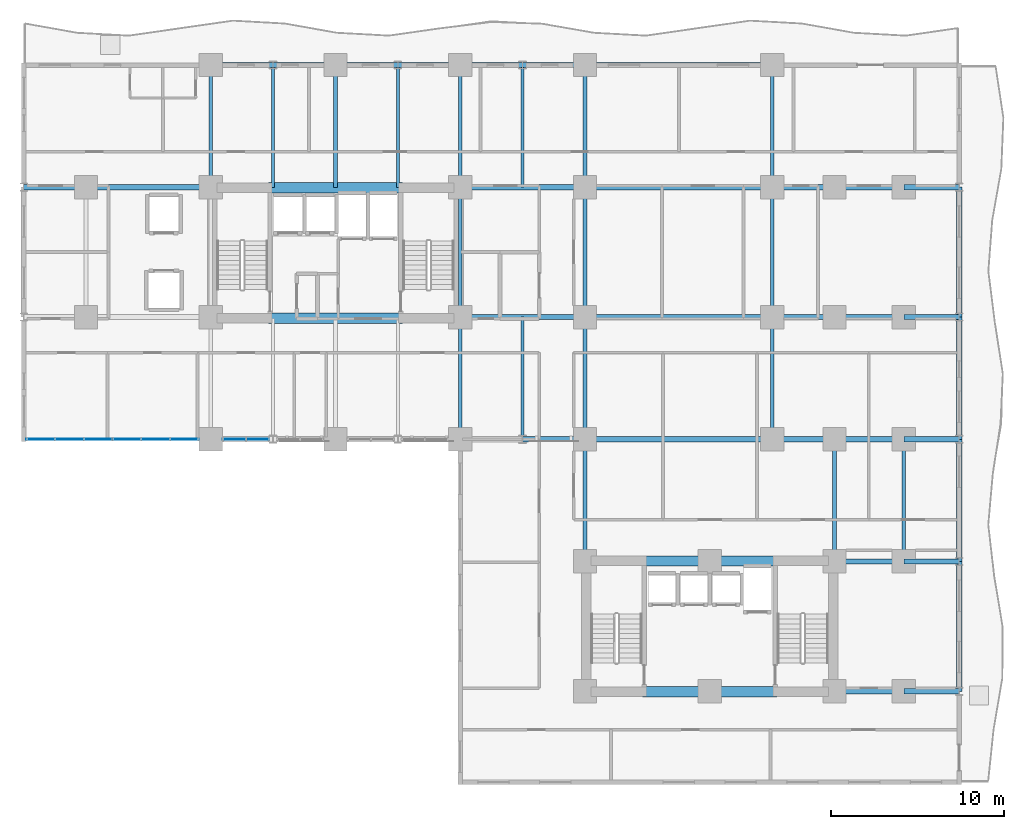
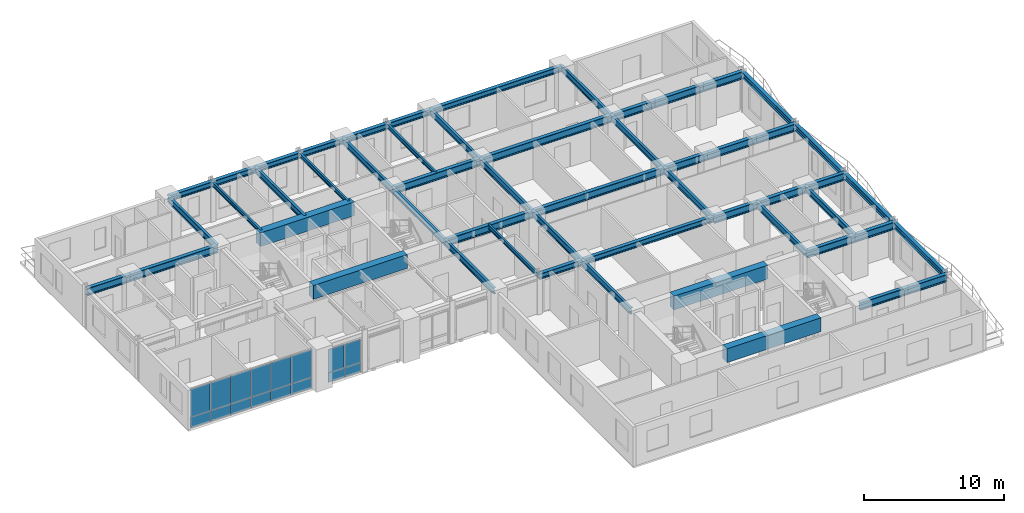
# One storey, part 6 of 17: 54 beams, 16 plates, 2 elements without a shape of their own.
"""IFC4 building model written with IfcOpenShell, lengths in metres."""

from ifc_helpers import new_model, si_unit, direction, frame, origin, origin_2d, place, context, subcontext, project, spatial, rectangle, i_section, extrude, source, transform, mapped, material, layer, layer_set, material_profile, profile_set, type_object, element, aggregate, save


model = new_model("IFC4")

# Units and contexts
model_context = context("Model", 3, precision=1e-05, world=origin(), true_north=direction((0.0, 1.0)))
body_context = subcontext(model_context, "Body", "Model", "MODEL_VIEW")
ifc_project = project(units=[si_unit("LENGTHUNIT", "METRE"), si_unit("AREAUNIT", "SQUARE_METRE"), si_unit("VOLUMEUNIT", "CUBIC_METRE"), si_unit("PLANEANGLEUNIT", "RADIAN"), si_unit("MASSUNIT", "GRAM", prefix="KILO")], contexts=[model_context])

# Site, building, storey
site_placement = place(None, origin())
site = spatial("IfcSite", under=ifc_project, at=site_placement, CompositionType="ELEMENT")
building_placement = place(site_placement, origin())
building = spatial("IfcBuilding", under=site, at=building_placement, Name="Kaliganga Portal Commons", CompositionType="ELEMENT")
storey_placement = place(building_placement, frame((0.0, 0.0, 43.800048828125)))
storey = spatial("IfcBuildingStorey", under=building, at=storey_placement, Name="L10", CompositionType="ELEMENT", Elevation=43.800048828125)

# Beams
ifc_material_1 = material(Name="Concrete C60/75", Category="concrete")
ifc_material_profile_1 = material_profile(ifc_material_1, rectangle(XDim=0.60009765625, YDim=1.199951171875, at=origin_2d()), Name="RC 600x1200")
ifc_profile_set_1 = profile_set([ifc_material_profile_1], Name="Concrete C60/75")
beam_type_1 = type_object("IfcBeamType", Name="BM-CPL-1200", PredefinedType="LINTEL", material=ifc_profile_set_1)
shared_shape_1 = source(origin(), body_context, "Body", "SweptSolid", [
    extrude(rectangle(XDim=0.60009765625, YDim=1.199951171875, at=origin_2d()), origin(), (0.0, 0.0, 1.0), 7.739990234375),
])
for number, where, z_axis, x_axis, name in (
    (1, (17.72998046875, 28.574951171875, 2.849853515625), (1.0, 0.0, 0.0), (0.0, 1.0, 0.0), "BM CPL COREA L10 S"),
    (2, (17.72998046875, 36.125, 2.849853515625), (1.0, 0.0, 0.0), (0.0, 1.0, 0.0), "BM CPL COREA L10 N"),
    (3, (39.330078125, 7.02490234375, 2.849853515625), (1.0, 0.0, 0.0), (0.0, 1.0, 0.0), "BM CPL COREB L10 S"),
    (4, (39.330078125, 14.574951171875, 2.849853515625), (1.0, 0.0, 0.0), (0.0, 1.0, 0.0), "BM CPL COREB L10 N"),
):
    element("IfcBeam", number, at=place(storey_placement, frame(where, z_axis=z_axis, x_axis=x_axis)), inside=storey, type_object=beam_type_1, Name=name, PredefinedType="LINTEL", context=body_context, shape_type="MappedRepresentation", body=[
        mapped(shared_shape_1, transform((0.0, 0.0, 0.0), x_axis=(1.0, 0.0, 0.0), y_axis=(0.0, 1.0, 0.0), z_axis=(0.0, 0.0, 1.0), scale=1.0)),
    ])
ifc_material_2 = material(Name="Structural steel S355J2", Category="steel")
ifc_material_profile_2 = material_profile(ifc_material_2, i_section(OverallWidth=0.300048828125, OverallDepth=0.5, WebThickness=0.014404296875, FlangeThickness=0.028076171875, FilletRadius=0.027099609375, at=origin_2d()), Name="HE 500 B")
ifc_profile_set_2 = profile_set([ifc_material_profile_2], Name="Structural steel S355J2 wide-flange")
beam_type_2 = type_object("IfcBeamType", Name="BM-SPAND-500", PredefinedType="SPANDREL", material=ifc_profile_set_2)
shared_shape_2 = source(origin(), body_context, "Body", "SweptSolid", [
    extrude(i_section(OverallWidth=0.300048828125, OverallDepth=0.5, WebThickness=0.014404296875, FlangeThickness=0.028076171875, FilletRadius=0.027099609375, at=origin_2d()), origin(), (0.0, 0.0, 1.0), 10.800048828125),
])
for number, where, z_axis, x_axis, name in (
    (5, (36.0, 43.199951171875, 3.199951171875), (1.0, 0.0, 0.0), (0.0, 1.0, 0.0), "BM SP L10 AN 7"),
    (6, (36.0, 21.60009765625, 3.199951171875), (1.0, 0.0, 0.0), (0.0, 1.0, 0.0), "BM SP L10 AS 7"),
):
    element("IfcBeam", number, at=place(storey_placement, frame(where, z_axis=z_axis, x_axis=x_axis)), inside=storey, type_object=beam_type_2, Name=name, PredefinedType="SPANDREL", context=body_context, shape_type="MappedRepresentation", body=[
        mapped(shared_shape_2, transform((0.0, 0.0, 0.0), x_axis=(1.0, 0.0, 0.0), y_axis=(0.0, 1.0, 0.0), z_axis=(0.0, 0.0, 1.0), scale=1.0)),
    ])
shared_shape_3 = source(origin(), body_context, "Body", "SweptSolid", [
    extrude(i_section(OverallWidth=0.300048828125, OverallDepth=0.5, WebThickness=0.014404296875, FlangeThickness=0.028076171875, FilletRadius=0.027099609375, at=origin_2d()), origin(), (0.0, 0.0, 1.0), 7.5),
])
for number, where, z_axis, x_axis, name in (
    (7, (57.60009765625, 7.050048828125, 3.199951171875), (0.0, 1.0, 0.0), (-1.0, 0.0, 0.0), "BM SP L10 BE 1"),
    (8, (57.60009765625, 28.64990234375, 3.199951171875), (0.0, 1.0, 0.0), (-1.0, 0.0, 0.0), "BM SP L10 BE 4"),
):
    element("IfcBeam", number, at=place(storey_placement, frame(where, z_axis=z_axis, x_axis=x_axis)), inside=storey, type_object=beam_type_2, Name=name, PredefinedType="SPANDREL", context=body_context, shape_type="MappedRepresentation", body=[
        mapped(shared_shape_3, transform((0.0, 0.0, 0.0), x_axis=(1.0, 0.0, 0.0), y_axis=(0.0, 1.0, 0.0), z_axis=(0.0, 0.0, 1.0), scale=1.0)),
    ])
shared_shape_4 = source(origin(), body_context, "Body", "SweptSolid", [
    extrude(i_section(OverallWidth=0.300048828125, OverallDepth=0.5, WebThickness=0.014404296875, FlangeThickness=0.028076171875, FilletRadius=0.027099609375, at=origin_2d()), origin(), (0.0, 0.0, 1.0), 7.050048828125),
])
beam_1_placement = place(storey_placement, frame((57.60009765625, 14.550048828125, 3.199951171875), z_axis=(0.0, 1.0, 0.0), x_axis=(-1.0, 0.0, 0.0)))
element("IfcBeam", 9, at=beam_1_placement, inside=storey, type_object=beam_type_2, Name="BM SP L10 BE 2", PredefinedType="SPANDREL", context=body_context, shape_type="MappedRepresentation", body=[
    mapped(shared_shape_4, transform((0.0, 0.0, 0.0), x_axis=(1.0, 0.0, 0.0), y_axis=(0.0, 1.0, 0.0), z_axis=(0.0, 0.0, 1.0), scale=1.0)),
])
shared_shape_5 = source(origin(), body_context, "Body", "SweptSolid", [
    extrude(i_section(OverallWidth=0.300048828125, OverallDepth=0.5, WebThickness=0.014404296875, FlangeThickness=0.028076171875, FilletRadius=0.027099609375, at=origin_2d()), origin(), (0.0, 0.0, 1.0), 7.0498046875),
])
beam_2_placement = place(storey_placement, frame((57.60009765625, 21.60009765625, 3.199951171875), z_axis=(0.0, 1.0, 0.0), x_axis=(-1.0, 0.0, 0.0)))
element("IfcBeam", 10, at=beam_2_placement, inside=storey, type_object=beam_type_2, Name="BM SP L10 BE 3", PredefinedType="SPANDREL", context=body_context, shape_type="MappedRepresentation", body=[
    mapped(shared_shape_5, transform((0.0, 0.0, 0.0), x_axis=(1.0, 0.0, 0.0), y_axis=(0.0, 1.0, 0.0), z_axis=(0.0, 0.0, 1.0), scale=1.0)),
])
shared_shape_6 = source(origin(), body_context, "Body", "SweptSolid", [
    extrude(i_section(OverallWidth=0.300048828125, OverallDepth=0.5, WebThickness=0.014404296875, FlangeThickness=0.028076171875, FilletRadius=0.027099609375, at=origin_2d()), origin(), (0.0, 0.0, 1.0), 3.60009765625),
])
for number, where, z_axis, x_axis, name in (
    (11, (14.39990234375, 43.199951171875, 3.199951171875), (1.0, 0.0, 0.0), (0.0, 1.0, 0.0), "BM SP L10 AN 1"),
    (12, (18.0, 43.199951171875, 3.199951171875), (1.0, 0.0, 0.0), (0.0, 1.0, 0.0), "BM SP L10 AN 2"),
    (13, (25.199951171875, 43.199951171875, 3.199951171875), (1.0, 0.0, 0.0), (0.0, 1.0, 0.0), "BM SP L10 AN 4"),
    (14, (32.39990234375, 43.199951171875, 3.199951171875), (1.0, 0.0, 0.0), (0.0, 1.0, 0.0), "BM SP L10 AN 6"),
    (15, (32.39990234375, 21.60009765625, 3.199951171875), (1.0, 0.0, 0.0), (0.0, 1.0, 0.0), "BM SP L10 AS 6"),
):
    element("IfcBeam", number, at=place(storey_placement, frame(where, z_axis=z_axis, x_axis=x_axis)), inside=storey, type_object=beam_type_2, Name=name, PredefinedType="SPANDREL", context=body_context, shape_type="MappedRepresentation", body=[
        mapped(shared_shape_6, transform((0.0, 0.0, 0.0), x_axis=(1.0, 0.0, 0.0), y_axis=(0.0, 1.0, 0.0), z_axis=(0.0, 0.0, 1.0), scale=1.0)),
    ])
shared_shape_7 = source(origin(), body_context, "Body", "SweptSolid", [
    extrude(i_section(OverallWidth=0.300048828125, OverallDepth=0.5, WebThickness=0.014404296875, FlangeThickness=0.028076171875, FilletRadius=0.027099609375, at=origin_2d()), origin(), (0.0, 0.0, 1.0), 3.599853515625),
])
for number, where, z_axis, x_axis, name in (
    (16, (21.60009765625, 43.199951171875, 3.199951171875), (1.0, 0.0, 0.0), (0.0, 1.0, 0.0), "BM SP L10 AN 3"),
    (17, (28.800048828125, 43.199951171875, 3.199951171875), (1.0, 0.0, 0.0), (0.0, 1.0, 0.0), "BM SP L10 AN 5"),
):
    element("IfcBeam", number, at=place(storey_placement, frame(where, z_axis=z_axis, x_axis=x_axis)), inside=storey, type_object=beam_type_2, Name=name, PredefinedType="SPANDREL", context=body_context, shape_type="MappedRepresentation", body=[
        mapped(shared_shape_7, transform((0.0, 0.0, 0.0), x_axis=(1.0, 0.0, 0.0), y_axis=(0.0, 1.0, 0.0), z_axis=(0.0, 0.0, 1.0), scale=1.0)),
    ])
ifc_material_profile_3 = material_profile(ifc_material_2, i_section(OverallWidth=0.300048828125, OverallDepth=0.64990234375, WebThickness=0.01611328125, FlangeThickness=0.031005859375, FilletRadius=0.027099609375, at=origin_2d()), Name="HE 650 B")
ifc_profile_set_3 = profile_set([ifc_material_profile_3], Name="Structural steel S355J2 wide-flange")
beam_type_3 = type_object("IfcBeamType", Name="BM-GIRD-650", PredefinedType="USERDEFINED", material=ifc_profile_set_3)
shared_shape_8 = source(origin(), body_context, "Body", "SweptSolid", [
    extrude(i_section(OverallWidth=0.300048828125, OverallDepth=0.64990234375, WebThickness=0.01611328125, FlangeThickness=0.031005859375, FilletRadius=0.027099609375, at=origin_2d()), origin(), (0.0, 0.0, 1.0), 3.599853515625),
])
for number, where, z_axis, x_axis, name in (
    (18, (3.60009765625, 36.14990234375, 3.125), (1.0, 0.0, 0.0), (0.0, 1.0, 0.0), "BM G L10 WAH_N 1"),
    (19, (46.800048828125, 21.60009765625, 3.125), (1.0, 0.0, 0.0), (0.0, 1.0, 0.0), "BM G L10 BKE216 1"),
    (20, (46.800048828125, 28.64990234375, 3.125), (1.0, 0.0, 0.0), (0.0, 1.0, 0.0), "BM G L10 BKE286 1"),
    (21, (46.800048828125, 36.14990234375, 3.125), (1.0, 0.0, 0.0), (0.0, 1.0, 0.0), "BM G L10 BKE362 1"),
):
    element("IfcBeam", number, at=place(storey_placement, frame(where, z_axis=z_axis, x_axis=x_axis)), inside=storey, type_object=beam_type_3, Name=name, ObjectType="GIRDER", PredefinedType="USERDEFINED", context=body_context, shape_type="MappedRepresentation", body=[
        mapped(shared_shape_8, transform((0.0, 0.0, 0.0), x_axis=(1.0, 0.0, 0.0), y_axis=(0.0, 1.0, 0.0), z_axis=(0.0, 0.0, 1.0), scale=1.0)),
    ])
shared_shape_9 = source(origin(), body_context, "Body", "SweptSolid", [
    extrude(i_section(OverallWidth=0.300048828125, OverallDepth=0.64990234375, WebThickness=0.01611328125, FlangeThickness=0.031005859375, FilletRadius=0.027099609375, at=origin_2d()), origin(), (0.0, 0.0, 1.0), 7.199951171875),
])
for number, where, z_axis, x_axis, name in (
    (22, (7.199951171875, 36.14990234375, 3.125), (1.0, 0.0, 0.0), (0.0, 1.0, 0.0), "BM G L10 WAH_N 2"),
    (23, (28.800048828125, 28.64990234375, 3.125), (1.0, 0.0, 0.0), (0.0, 1.0, 0.0), "BM G L10 WAE_S 1"),
    (24, (28.800048828125, 36.14990234375, 3.125), (1.0, 0.0, 0.0), (0.0, 1.0, 0.0), "BM G L10 WAE_N 1"),
):
    element("IfcBeam", number, at=place(storey_placement, frame(where, z_axis=z_axis, x_axis=x_axis)), inside=storey, type_object=beam_type_3, Name=name, ObjectType="GIRDER", PredefinedType="USERDEFINED", context=body_context, shape_type="MappedRepresentation", body=[
        mapped(shared_shape_9, transform((0.0, 0.0, 0.0), x_axis=(1.0, 0.0, 0.0), y_axis=(0.0, 1.0, 0.0), z_axis=(0.0, 0.0, 1.0), scale=1.0)),
    ])
shared_shape_10 = source(origin(), body_context, "Body", "SweptSolid", [
    extrude(i_section(OverallWidth=0.300048828125, OverallDepth=0.64990234375, WebThickness=0.01611328125, FlangeThickness=0.031005859375, FilletRadius=0.027099609375, at=origin_2d()), origin(), (0.0, 0.0, 1.0), 10.800048828125),
])
for number, where, z_axis, x_axis, name in (
    (25, (36.0, 28.64990234375, 3.125), (1.0, 0.0, 0.0), (0.0, 1.0, 0.0), "BM G L10 WAE_S 2"),
    (26, (36.0, 36.14990234375, 3.125), (1.0, 0.0, 0.0), (0.0, 1.0, 0.0), "BM G L10 WAE_N 2"),
):
    element("IfcBeam", number, at=place(storey_placement, frame(where, z_axis=z_axis, x_axis=x_axis)), inside=storey, type_object=beam_type_3, Name=name, ObjectType="GIRDER", PredefinedType="USERDEFINED", context=body_context, shape_type="MappedRepresentation", body=[
        mapped(shared_shape_10, transform((0.0, 0.0, 0.0), x_axis=(1.0, 0.0, 0.0), y_axis=(0.0, 1.0, 0.0), z_axis=(0.0, 0.0, 1.0), scale=1.0)),
    ])
ifc_material_profile_4 = material_profile(ifc_material_2, i_section(OverallWidth=0.2099609375, OverallDepth=0.550048828125, WebThickness=0.010986328125, FlangeThickness=0.01708984375, FilletRadius=0.02392578125, at=origin_2d()), Name="IPE 550")
ifc_profile_set_4 = profile_set([ifc_material_profile_4], Name="Structural steel S355J2 wide-flange")
beam_type_4 = type_object("IfcBeamType", Name="BM-FLR-550", PredefinedType="BEAM", material=ifc_profile_set_4)
shared_shape_11 = source(origin(), body_context, "Body", "SweptSolid", [
    extrude(i_section(OverallWidth=0.2099609375, OverallDepth=0.550048828125, WebThickness=0.010986328125, FlangeThickness=0.01708984375, FilletRadius=0.02392578125, at=origin_2d()), origin(), (0.0, 0.0, 1.0), 7.5),
])
for number, where, z_axis, x_axis, name in (
    (27, (28.800048828125, 28.64990234375, 3.175048828125), (0.0, 1.0, 0.0), (-1.0, 0.0, 0.0), "BM G L10 AM288"),
    (28, (36.0, 28.64990234375, 3.175048828125), (0.0, 1.0, 0.0), (-1.0, 0.0, 0.0), "BM G L10 AM360"),
    (29, (46.800048828125, 28.64990234375, 3.175048828125), (0.0, 1.0, 0.0), (-1.0, 0.0, 0.0), "BM G L10 AM468"),
):
    element("IfcBeam", number, at=place(storey_placement, frame(where, z_axis=z_axis, x_axis=x_axis)), inside=storey, type_object=beam_type_4, Name=name, PredefinedType="BEAM", context=body_context, shape_type="MappedRepresentation", body=[
        mapped(shared_shape_11, transform((0.0, 0.0, 0.0), x_axis=(1.0, 0.0, 0.0), y_axis=(0.0, 1.0, 0.0), z_axis=(0.0, 0.0, 1.0), scale=1.0)),
    ])
shared_shape_12 = source(origin(), body_context, "Body", "SweptSolid", [
    extrude(i_section(OverallWidth=0.2099609375, OverallDepth=0.550048828125, WebThickness=0.010986328125, FlangeThickness=0.01708984375, FilletRadius=0.02392578125, at=origin_2d()), origin(), (0.0, 0.0, 1.0), 7.050048828125),
])
for number, where, z_axis, x_axis, name in (
    (30, (14.39990234375, 36.14990234375, 3.175048828125), (0.0, 1.0, 0.0), (-1.0, 0.0, 0.0), "BM G L10 AN144"),
    (31, (28.800048828125, 36.14990234375, 3.175048828125), (0.0, 1.0, 0.0), (-1.0, 0.0, 0.0), "BM G L10 AN288"),
    (32, (36.0, 36.14990234375, 3.175048828125), (0.0, 1.0, 0.0), (-1.0, 0.0, 0.0), "BM G L10 AN360"),
    (33, (46.800048828125, 36.14990234375, 3.175048828125), (0.0, 1.0, 0.0), (-1.0, 0.0, 0.0), "BM G L10 AN468"),
    (34, (36.0, 14.550048828125, 3.175048828125), (0.0, 1.0, 0.0), (-1.0, 0.0, 0.0), "BM G L10 BNK360"),
    (35, (50.39990234375, 14.550048828125, 3.175048828125), (0.0, 1.0, 0.0), (-1.0, 0.0, 0.0), "BM G L10 BNK504"),
    (36, (54.39990234375, 14.550048828125, 3.175048828125), (0.0, 1.0, 0.0), (-1.0, 0.0, 0.0), "BM G L10 BNK544"),
):
    element("IfcBeam", number, at=place(storey_placement, frame(where, z_axis=z_axis, x_axis=x_axis)), inside=storey, type_object=beam_type_4, Name=name, PredefinedType="BEAM", context=body_context, shape_type="MappedRepresentation", body=[
        mapped(shared_shape_12, transform((0.0, 0.0, 0.0), x_axis=(1.0, 0.0, 0.0), y_axis=(0.0, 1.0, 0.0), z_axis=(0.0, 0.0, 1.0), scale=1.0)),
    ])
shared_shape_13 = source(origin(), body_context, "Body", "SweptSolid", [
    extrude(i_section(OverallWidth=0.2099609375, OverallDepth=0.550048828125, WebThickness=0.010986328125, FlangeThickness=0.01708984375, FilletRadius=0.02392578125, at=origin_2d()), origin(), (0.0, 0.0, 1.0), 7.0498046875),
])
for number, where, z_axis, x_axis, name in (
    (37, (28.800048828125, 21.60009765625, 3.175048828125), (0.0, 1.0, 0.0), (-1.0, 0.0, 0.0), "BM G L10 AS288"),
    (38, (36.0, 21.60009765625, 3.175048828125), (0.0, 1.0, 0.0), (-1.0, 0.0, 0.0), "BM G L10 AS360"),
    (39, (46.800048828125, 21.60009765625, 3.175048828125), (0.0, 1.0, 0.0), (-1.0, 0.0, 0.0), "BM G L10 AS468"),
):
    element("IfcBeam", number, at=place(storey_placement, frame(where, z_axis=z_axis, x_axis=x_axis)), inside=storey, type_object=beam_type_4, Name=name, PredefinedType="BEAM", context=body_context, shape_type="MappedRepresentation", body=[
        mapped(shared_shape_13, transform((0.0, 0.0, 0.0), x_axis=(1.0, 0.0, 0.0), y_axis=(0.0, 1.0, 0.0), z_axis=(0.0, 0.0, 1.0), scale=1.0)),
    ])
ifc_material_profile_5 = material_profile(ifc_material_2, i_section(OverallWidth=0.169921875, OverallDepth=0.360107421875, WebThickness=0.008056640625, FlangeThickness=0.0126953125, FilletRadius=0.01806640625, at=origin_2d()), Name="IPE 360")
ifc_profile_set_5 = profile_set([ifc_material_profile_5], Name="Structural steel S355J2 wide-flange")
beam_type_5 = type_object("IfcBeamType", Name="BM-JST-360", PredefinedType="JOIST", material=ifc_profile_set_5)
shared_shape_14 = source(origin(), body_context, "Body", "SweptSolid", [
    extrude(i_section(OverallWidth=0.169921875, OverallDepth=0.360107421875, WebThickness=0.008056640625, FlangeThickness=0.0126953125, FilletRadius=0.01806640625, at=origin_2d()), origin(), (0.0, 0.0, 1.0), 7.074951171875),
])
for number, where, z_axis, x_axis, name in (
    (40, (18.0, 36.125, 3.27001953125), (0.0, 1.0, 0.0), (-1.0, 0.0, 0.0), "BM G L10 AN180"),
    (41, (25.199951171875, 36.125, 3.27001953125), (0.0, 1.0, 0.0), (-1.0, 0.0, 0.0), "BM G L10 AN252"),
):
    element("IfcBeam", number, at=place(storey_placement, frame(where, z_axis=z_axis, x_axis=x_axis)), inside=storey, type_object=beam_type_5, Name=name, PredefinedType="JOIST", context=body_context, shape_type="MappedRepresentation", body=[
        mapped(shared_shape_14, transform((0.0, 0.0, 0.0), x_axis=(1.0, 0.0, 0.0), y_axis=(0.0, 1.0, 0.0), z_axis=(0.0, 0.0, 1.0), scale=1.0)),
    ])
shared_shape_15 = source(origin(), body_context, "Body", "SweptSolid", [
    extrude(i_section(OverallWidth=0.2099609375, OverallDepth=0.550048828125, WebThickness=0.010986328125, FlangeThickness=0.01708984375, FilletRadius=0.02392578125, at=origin_2d()), origin(), (0.0, 0.0, 1.0), 7.074951171875),
])
beam_3_placement = place(storey_placement, frame((21.60009765625, 36.125, 3.175048828125), z_axis=(0.0, 1.0, 0.0), x_axis=(-1.0, 0.0, 0.0)))
element("IfcBeam", 42, at=beam_3_placement, inside=storey, type_object=beam_type_4, Name="BM G L10 AN216", PredefinedType="BEAM", context=body_context, shape_type="MappedRepresentation", body=[
    mapped(shared_shape_15, transform((0.0, 0.0, 0.0), x_axis=(1.0, 0.0, 0.0), y_axis=(0.0, 1.0, 0.0), z_axis=(0.0, 0.0, 1.0), scale=1.0)),
])
shared_shape_16 = source(origin(), body_context, "Body", "SweptSolid", [
    extrude(i_section(OverallWidth=0.169921875, OverallDepth=0.360107421875, WebThickness=0.008056640625, FlangeThickness=0.0126953125, FilletRadius=0.01806640625, at=origin_2d()), origin(), (0.0, 0.0, 1.0), 7.050048828125),
])
beam_4_placement = place(storey_placement, frame((32.39990234375, 36.14990234375, 3.27001953125), z_axis=(0.0, 1.0, 0.0), x_axis=(-1.0, 0.0, 0.0)))
element("IfcBeam", 43, at=beam_4_placement, inside=storey, type_object=beam_type_5, Name="BM G L10 AN324", PredefinedType="JOIST", context=body_context, shape_type="MappedRepresentation", body=[
    mapped(shared_shape_16, transform((0.0, 0.0, 0.0), x_axis=(1.0, 0.0, 0.0), y_axis=(0.0, 1.0, 0.0), z_axis=(0.0, 0.0, 1.0), scale=1.0)),
])
shared_shape_17 = source(origin(), body_context, "Body", "SweptSolid", [
    extrude(i_section(OverallWidth=0.169921875, OverallDepth=0.360107421875, WebThickness=0.008056640625, FlangeThickness=0.0126953125, FilletRadius=0.01806640625, at=origin_2d()), origin(), (0.0, 0.0, 1.0), 7.0498046875),
])
beam_5_placement = place(storey_placement, frame((32.39990234375, 21.60009765625, 3.27001953125), z_axis=(0.0, 1.0, 0.0), x_axis=(-1.0, 0.0, 0.0)))
element("IfcBeam", 44, at=beam_5_placement, inside=storey, type_object=beam_type_5, Name="BM G L10 AS324", PredefinedType="JOIST", context=body_context, shape_type="MappedRepresentation", body=[
    mapped(shared_shape_17, transform((0.0, 0.0, 0.0), x_axis=(1.0, 0.0, 0.0), y_axis=(0.0, 1.0, 0.0), z_axis=(0.0, 0.0, 1.0), scale=1.0)),
])
shared_shape_18 = source(origin(), body_context, "Body", "SweptSolid", [
    extrude(i_section(OverallWidth=0.300048828125, OverallDepth=0.64990234375, WebThickness=0.01611328125, FlangeThickness=0.031005859375, FilletRadius=0.027099609375, at=origin_2d()), origin(), (0.0, 0.0, 1.0), 4.0),
])
for number, where, z_axis, x_axis, name in (
    (45, (50.39990234375, 7.050048828125, 3.125), (1.0, 0.0, 0.0), (0.0, 1.0, 0.0), "BM G L10 BKE70 1"),
    (46, (50.39990234375, 14.550048828125, 3.125), (1.0, 0.0, 0.0), (0.0, 1.0, 0.0), "BM G L10 BKE146 1"),
    (47, (50.39990234375, 21.60009765625, 3.125), (1.0, 0.0, 0.0), (0.0, 1.0, 0.0), "BM G L10 BKE216 2"),
    (48, (50.39990234375, 28.64990234375, 3.125), (1.0, 0.0, 0.0), (0.0, 1.0, 0.0), "BM G L10 BKE286 2"),
    (49, (50.39990234375, 36.14990234375, 3.125), (1.0, 0.0, 0.0), (0.0, 1.0, 0.0), "BM G L10 BKE362 2"),
):
    element("IfcBeam", number, at=place(storey_placement, frame(where, z_axis=z_axis, x_axis=x_axis)), inside=storey, type_object=beam_type_3, Name=name, ObjectType="GIRDER", PredefinedType="USERDEFINED", context=body_context, shape_type="MappedRepresentation", body=[
        mapped(shared_shape_18, transform((0.0, 0.0, 0.0), x_axis=(1.0, 0.0, 0.0), y_axis=(0.0, 1.0, 0.0), z_axis=(0.0, 0.0, 1.0), scale=1.0)),
    ])
shared_shape_19 = source(origin(), body_context, "Body", "SweptSolid", [
    extrude(i_section(OverallWidth=0.300048828125, OverallDepth=0.64990234375, WebThickness=0.01611328125, FlangeThickness=0.031005859375, FilletRadius=0.027099609375, at=origin_2d()), origin(), (0.0, 0.0, 1.0), 3.2001953125),
])
for number, where, z_axis, x_axis, name in (
    (50, (54.39990234375, 7.050048828125, 3.125), (1.0, 0.0, 0.0), (0.0, 1.0, 0.0), "BM G L10 BKE70 2"),
    (51, (54.39990234375, 14.550048828125, 3.125), (1.0, 0.0, 0.0), (0.0, 1.0, 0.0), "BM G L10 BKE146 2"),
    (52, (54.39990234375, 21.60009765625, 3.125), (1.0, 0.0, 0.0), (0.0, 1.0, 0.0), "BM G L10 BKE216 3"),
    (53, (54.39990234375, 28.64990234375, 3.125), (1.0, 0.0, 0.0), (0.0, 1.0, 0.0), "BM G L10 BKE286 3"),
    (54, (54.39990234375, 36.14990234375, 3.125), (1.0, 0.0, 0.0), (0.0, 1.0, 0.0), "BM G L10 BKE362 3"),
):
    element("IfcBeam", number, at=place(storey_placement, frame(where, z_axis=z_axis, x_axis=x_axis)), inside=storey, type_object=beam_type_3, Name=name, ObjectType="GIRDER", PredefinedType="USERDEFINED", context=body_context, shape_type="MappedRepresentation", body=[
        mapped(shared_shape_19, transform((0.0, 0.0, 0.0), x_axis=(1.0, 0.0, 0.0), y_axis=(0.0, 1.0, 0.0), z_axis=(0.0, 0.0, 1.0), scale=1.0)),
    ])

# Curtain wall, plates
ifc_material_3 = material(Name="Anodized Aluminium and Laminated Low-E Glass", Category="aluminium")
ifc_layer_1 = layer(ifc_material_3, 0.2099609375)
ifc_layer_set_1 = layer_set([ifc_layer_1], Name="Anodized Aluminium and Laminated Low-E Glass")
curtain_wall_type = type_object("IfcCurtainWallType", Name="CW-SYS-03", PredefinedType="NOTDEFINED", material=ifc_layer_set_1)
curtain_wall_1_placement = place(storey_placement, origin())
curtain_wall_1 = element("IfcCurtainWall", 55, at=curtain_wall_1_placement, inside=storey, type_object=curtain_wall_type, Name="CW 03 L10 P1E04S1", PredefinedType="NOTDEFINED")
ifc_material_4 = material(Name="Insulated Dark Spandrel Panel", Category="metal")
ifc_layer_2 = layer(ifc_material_4, 0.044921875)
ifc_layer_set_2 = layer_set([ifc_layer_2], Name="Insulated Dark Spandrel Panel")
plate_type_1 = type_object("IfcPlateType", Name="PLT-SPN-45", PredefinedType="SHEET", material=ifc_layer_set_2)
shared_shape_20 = source(origin(), body_context, "Body", "SweptSolid", [
    extrude(rectangle(XDim=1.6240234375, YDim=0.044921875, at=origin_2d()), origin(), (0.0, 0.0, 1.0), 0.929931640625),
])
plate_1_placement = place(storey_placement, frame((4.572021484375, 21.60009765625, 0.009765625), z_axis=(0.0, 0.0, 1.0), x_axis=(1.0, 0.0, 0.0)))
plate_1 = element("IfcPlate", 56, at=plate_1_placement, type_object=plate_type_1, Name="CW:03:L10:P1E04S1 Spandrel 00", PredefinedType="SHEET", context=body_context, shape_type="MappedRepresentation", body=[
    mapped(shared_shape_20, transform((0.0, 0.0, 0.0), x_axis=(1.0, 0.0, 0.0), y_axis=(0.0, 1.0, 0.0), z_axis=(0.0, 0.0, 1.0), scale=1.0)),
])
plate_2_placement = place(storey_placement, frame((6.236083984375, 21.60009765625, 0.009765625), z_axis=(0.0, 0.0, 1.0), x_axis=(1.0, 0.0, 0.0)))
plate_2 = element("IfcPlate", 57, at=plate_2_placement, type_object=plate_type_1, Name="CW:03:L10:P1E04S1 Spandrel 01", PredefinedType="SHEET", context=body_context, shape_type="MappedRepresentation", body=[
    mapped(shared_shape_20, transform((0.0, 0.0, 0.0), x_axis=(1.0, 0.0, 0.0), y_axis=(0.0, 1.0, 0.0), z_axis=(0.0, 0.0, 1.0), scale=1.0)),
])
plate_3_placement = place(storey_placement, frame((7.89990234375, 21.60009765625, 0.009765625), z_axis=(0.0, 0.0, 1.0), x_axis=(1.0, 0.0, 0.0)))
plate_3 = element("IfcPlate", 58, at=plate_3_placement, type_object=plate_type_1, Name="CW:03:L10:P1E04S1 Spandrel 02", PredefinedType="SHEET", context=body_context, shape_type="MappedRepresentation", body=[
    mapped(shared_shape_20, transform((0.0, 0.0, 0.0), x_axis=(1.0, 0.0, 0.0), y_axis=(0.0, 1.0, 0.0), z_axis=(0.0, 0.0, 1.0), scale=1.0)),
])
plate_4_placement = place(storey_placement, frame((9.56396484375, 21.60009765625, 0.009765625), z_axis=(0.0, 0.0, 1.0), x_axis=(1.0, 0.0, 0.0)))
plate_4 = element("IfcPlate", 59, at=plate_4_placement, type_object=plate_type_1, Name="CW:03:L10:P1E04S1 Spandrel 03", PredefinedType="SHEET", context=body_context, shape_type="MappedRepresentation", body=[
    mapped(shared_shape_20, transform((0.0, 0.0, 0.0), x_axis=(1.0, 0.0, 0.0), y_axis=(0.0, 1.0, 0.0), z_axis=(0.0, 0.0, 1.0), scale=1.0)),
])
plate_5_placement = place(storey_placement, frame((11.22802734375, 21.60009765625, 0.009765625), z_axis=(0.0, 0.0, 1.0), x_axis=(1.0, 0.0, 0.0)))
plate_5 = element("IfcPlate", 60, at=plate_5_placement, type_object=plate_type_1, Name="CW:03:L10:P1E04S1 Spandrel 04", PredefinedType="SHEET", context=body_context, shape_type="MappedRepresentation", body=[
    mapped(shared_shape_20, transform((0.0, 0.0, 0.0), x_axis=(1.0, 0.0, 0.0), y_axis=(0.0, 1.0, 0.0), z_axis=(0.0, 0.0, 1.0), scale=1.0)),
])
plate_6_placement = place(storey_placement, frame((12.89208984375, 21.60009765625, 0.009765625), z_axis=(0.0, 0.0, 1.0), x_axis=(1.0, 0.0, 0.0)))
plate_6 = element("IfcPlate", 61, at=plate_6_placement, type_object=plate_type_1, Name="CW:03:L10:P1E04S1 Spandrel 05", PredefinedType="SHEET", context=body_context, shape_type="MappedRepresentation", body=[
    mapped(shared_shape_20, transform((0.0, 0.0, 0.0), x_axis=(1.0, 0.0, 0.0), y_axis=(0.0, 1.0, 0.0), z_axis=(0.0, 0.0, 1.0), scale=1.0)),
])
ifc_material_5 = material(Name="Dark Solar-Control Laminated Low-E IGU", Category="glass")
ifc_layer_3 = layer(ifc_material_5, 0.028076171875)
ifc_layer_set_3 = layer_set([ifc_layer_3], Name="Dark Solar-Control Laminated Low-E IGU")
plate_type_2 = type_object("IfcPlateType", Name="PLT-GLZ-28", PredefinedType="CURTAIN_PANEL", material=ifc_layer_set_3)
shared_shape_21 = source(origin(), body_context, "Body", "SweptSolid", [
    extrude(rectangle(XDim=1.6240234375, YDim=0.028076171875, at=origin_2d()), origin(), (0.0, 0.0, 1.0), 2.39990234375),
])
plate_7_placement = place(storey_placement, frame((4.572021484375, 21.60009765625, 0.9599609375), z_axis=(0.0, 0.0, 1.0), x_axis=(1.0, 0.0, 0.0)))
plate_7 = element("IfcPlate", 62, at=plate_7_placement, type_object=plate_type_2, Name="CW:03:L10:P1E04S1 Vision IGU 00", PredefinedType="CURTAIN_PANEL", context=body_context, shape_type="MappedRepresentation", body=[
    mapped(shared_shape_21, transform((0.0, 0.0, 0.0), x_axis=(1.0, 0.0, 0.0), y_axis=(0.0, 1.0, 0.0), z_axis=(0.0, 0.0, 1.0), scale=1.0)),
])
plate_8_placement = place(storey_placement, frame((6.236083984375, 21.60009765625, 0.9599609375), z_axis=(0.0, 0.0, 1.0), x_axis=(1.0, 0.0, 0.0)))
plate_8 = element("IfcPlate", 63, at=plate_8_placement, type_object=plate_type_2, Name="CW:03:L10:P1E04S1 Vision IGU 01", PredefinedType="CURTAIN_PANEL", context=body_context, shape_type="MappedRepresentation", body=[
    mapped(shared_shape_21, transform((0.0, 0.0, 0.0), x_axis=(1.0, 0.0, 0.0), y_axis=(0.0, 1.0, 0.0), z_axis=(0.0, 0.0, 1.0), scale=1.0)),
])
plate_9_placement = place(storey_placement, frame((7.89990234375, 21.60009765625, 0.9599609375), z_axis=(0.0, 0.0, 1.0), x_axis=(1.0, 0.0, 0.0)))
plate_9 = element("IfcPlate", 64, at=plate_9_placement, type_object=plate_type_2, Name="CW:03:L10:P1E04S1 Vision IGU 02", PredefinedType="CURTAIN_PANEL", context=body_context, shape_type="MappedRepresentation", body=[
    mapped(shared_shape_21, transform((0.0, 0.0, 0.0), x_axis=(1.0, 0.0, 0.0), y_axis=(0.0, 1.0, 0.0), z_axis=(0.0, 0.0, 1.0), scale=1.0)),
])
plate_10_placement = place(storey_placement, frame((9.56396484375, 21.60009765625, 0.9599609375), z_axis=(0.0, 0.0, 1.0), x_axis=(1.0, 0.0, 0.0)))
plate_10 = element("IfcPlate", 65, at=plate_10_placement, type_object=plate_type_2, Name="CW:03:L10:P1E04S1 Vision IGU 03", PredefinedType="CURTAIN_PANEL", context=body_context, shape_type="MappedRepresentation", body=[
    mapped(shared_shape_21, transform((0.0, 0.0, 0.0), x_axis=(1.0, 0.0, 0.0), y_axis=(0.0, 1.0, 0.0), z_axis=(0.0, 0.0, 1.0), scale=1.0)),
])
plate_11_placement = place(storey_placement, frame((11.22802734375, 21.60009765625, 0.9599609375), z_axis=(0.0, 0.0, 1.0), x_axis=(1.0, 0.0, 0.0)))
plate_11 = element("IfcPlate", 66, at=plate_11_placement, type_object=plate_type_2, Name="CW:03:L10:P1E04S1 Vision IGU 04", PredefinedType="CURTAIN_PANEL", context=body_context, shape_type="MappedRepresentation", body=[
    mapped(shared_shape_21, transform((0.0, 0.0, 0.0), x_axis=(1.0, 0.0, 0.0), y_axis=(0.0, 1.0, 0.0), z_axis=(0.0, 0.0, 1.0), scale=1.0)),
])
plate_12_placement = place(storey_placement, frame((12.89208984375, 21.60009765625, 0.9599609375), z_axis=(0.0, 0.0, 1.0), x_axis=(1.0, 0.0, 0.0)))
plate_12 = element("IfcPlate", 67, at=plate_12_placement, type_object=plate_type_2, Name="CW:03:L10:P1E04S1 Vision IGU 05", PredefinedType="CURTAIN_PANEL", context=body_context, shape_type="MappedRepresentation", body=[
    mapped(shared_shape_21, transform((0.0, 0.0, 0.0), x_axis=(1.0, 0.0, 0.0), y_axis=(0.0, 1.0, 0.0), z_axis=(0.0, 0.0, 1.0), scale=1.0)),
])
aggregate(curtain_wall_1, [plate_1, plate_7, plate_2, plate_8, plate_3, plate_9, plate_4, plate_10, plate_5, plate_11, plate_6, plate_12])

curtain_wall_2_placement = place(storey_placement, origin())
curtain_wall_2 = element("IfcCurtainWall", 68, at=curtain_wall_2_placement, inside=storey, type_object=curtain_wall_type, Name="CW 03 L10 P1E04S2", PredefinedType="NOTDEFINED")
shared_shape_22 = source(origin(), body_context, "Body", "SweptSolid", [
    extrude(rectangle(XDim=1.3173828125, YDim=0.044921875, at=origin_2d()), origin(), (0.0, 0.0, 1.0), 0.805908203125),
])
plate_13_placement = place(storey_placement, frame((15.7548828125, 21.60009765625, 0.009765625), z_axis=(0.0, 0.0, 1.0), x_axis=(1.0, 0.0, 0.0)))
plate_13 = element("IfcPlate", 69, at=plate_13_placement, type_object=plate_type_1, Name="CW:03:L10:P1E04S2 Spandrel 00", PredefinedType="SHEET", context=body_context, shape_type="MappedRepresentation", body=[
    mapped(shared_shape_22, transform((0.0, 0.0, 0.0), x_axis=(1.0, 0.0, 0.0), y_axis=(0.0, 1.0, 0.0), z_axis=(0.0, 0.0, 1.0), scale=1.0)),
])
plate_14_placement = place(storey_placement, frame((17.1123046875, 21.60009765625, 0.009765625), z_axis=(0.0, 0.0, 1.0), x_axis=(1.0, 0.0, 0.0)))
plate_14 = element("IfcPlate", 70, at=plate_14_placement, type_object=plate_type_1, Name="CW:03:L10:P1E04S2 Spandrel 01", PredefinedType="SHEET", context=body_context, shape_type="MappedRepresentation", body=[
    mapped(shared_shape_22, transform((0.0, 0.0, 0.0), x_axis=(1.0, 0.0, 0.0), y_axis=(0.0, 1.0, 0.0), z_axis=(0.0, 0.0, 1.0), scale=1.0)),
])
shared_shape_23 = source(origin(), body_context, "Body", "SweptSolid", [
    extrude(rectangle(XDim=1.3173828125, YDim=0.028076171875, at=origin_2d()), origin(), (0.0, 0.0, 1.0), 2.02392578125),
])
plate_15_placement = place(storey_placement, frame((15.7548828125, 21.60009765625, 0.8359375), z_axis=(0.0, 0.0, 1.0), x_axis=(1.0, 0.0, 0.0)))
plate_15 = element("IfcPlate", 71, at=plate_15_placement, type_object=plate_type_2, Name="CW:03:L10:P1E04S2 Vision IGU 00", PredefinedType="CURTAIN_PANEL", context=body_context, shape_type="MappedRepresentation", body=[
    mapped(shared_shape_23, transform((0.0, 0.0, 0.0), x_axis=(1.0, 0.0, 0.0), y_axis=(0.0, 1.0, 0.0), z_axis=(0.0, 0.0, 1.0), scale=1.0)),
])
plate_16_placement = place(storey_placement, frame((17.1123046875, 21.60009765625, 0.8359375), z_axis=(0.0, 0.0, 1.0), x_axis=(1.0, 0.0, 0.0)))
plate_16 = element("IfcPlate", 72, at=plate_16_placement, type_object=plate_type_2, Name="CW:03:L10:P1E04S2 Vision IGU 01", PredefinedType="CURTAIN_PANEL", context=body_context, shape_type="MappedRepresentation", body=[
    mapped(shared_shape_23, transform((0.0, 0.0, 0.0), x_axis=(1.0, 0.0, 0.0), y_axis=(0.0, 1.0, 0.0), z_axis=(0.0, 0.0, 1.0), scale=1.0)),
])
aggregate(curtain_wall_2, [plate_13, plate_15, plate_14, plate_16])

save(model, "model.ifc")
